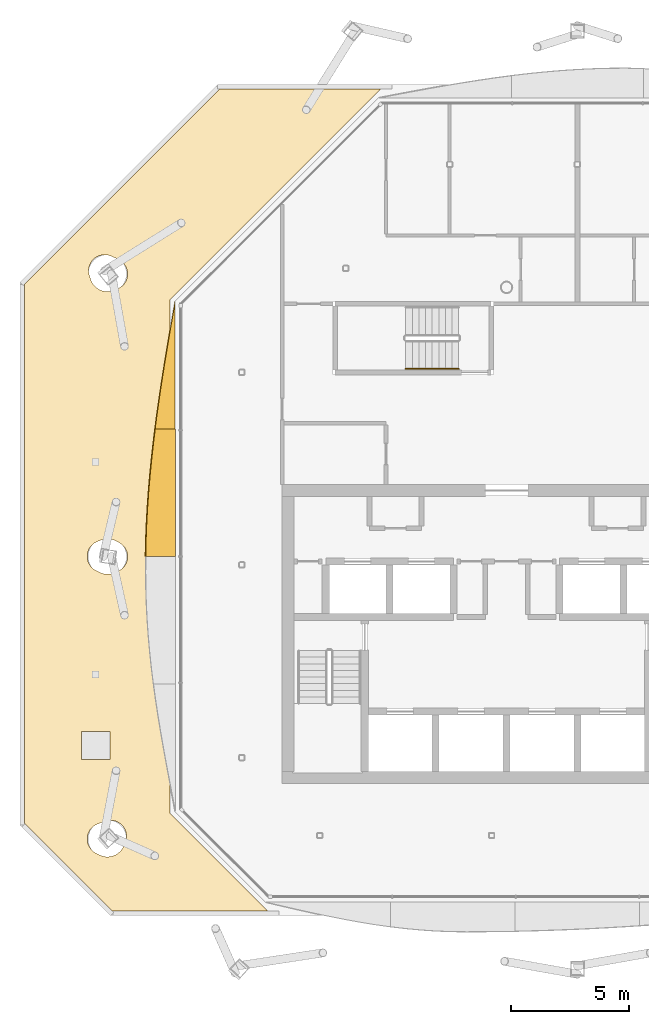
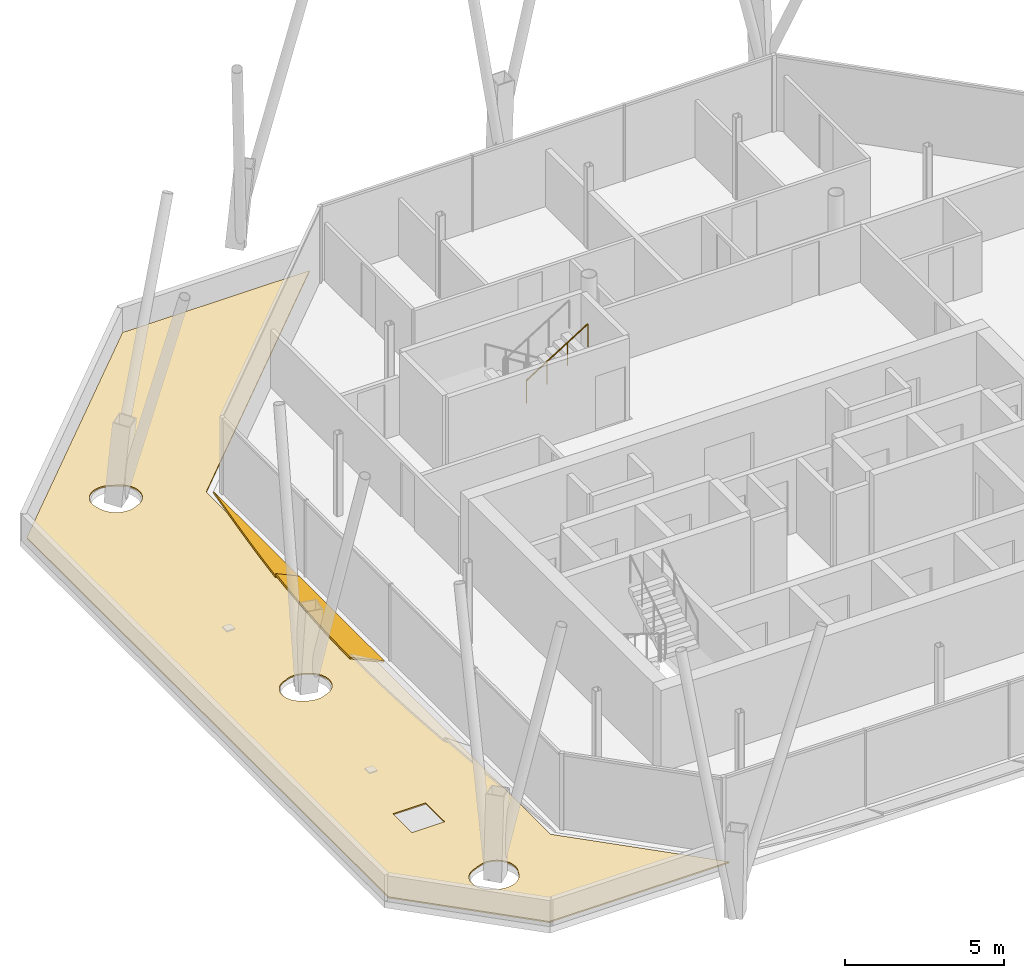
# One storey, part 14 of 17: 2 shading devices, 1 covering, 1 railing.
"""IFC4 building model written with IfcOpenShell, lengths in metres."""

from ifc_helpers import new_model, si_unit, direction, frame, origin, origin_2d, place, context, subcontext, project, spatial, polyline, circle, outline, extrude, material, layer, layer_set, type_object, element, save


model = new_model("IFC4")

# Units and contexts
model_context = context("Model", 3, precision=1e-05, world=origin(), true_north=direction((0.0, 1.0)))
body_context = subcontext(model_context, "Body", "Model", "MODEL_VIEW")
ifc_project = project(units=[si_unit("LENGTHUNIT", "METRE"), si_unit("AREAUNIT", "SQUARE_METRE"), si_unit("VOLUMEUNIT", "CUBIC_METRE"), si_unit("PLANEANGLEUNIT", "RADIAN"), si_unit("MASSUNIT", "GRAM", prefix="KILO")], contexts=[model_context])

# Site, building, storey
site_placement = place(None, origin())
site = spatial("IfcSite", under=ifc_project, at=site_placement, CompositionType="ELEMENT")
building_placement = place(site_placement, origin())
building = spatial("IfcBuilding", under=site, at=building_placement, Name="Tskaro Facet Tower", CompositionType="ELEMENT")
storey_placement = place(building_placement, frame((0.0, 0.0, 259.5)))
storey = spatial("IfcBuildingStorey", under=building, at=storey_placement, Name="L68", CompositionType="ELEMENT", Elevation=259.5)

# Shading devices
ifc_material_1 = material(Name="Bronze anodised aluminium 6063-T6", Category="aluminium")
ifc_layer_1 = layer(ifc_material_1, 0.06005859375, Name="Bronze anodised aluminium 6063-T6")
ifc_layer_set_1 = layer_set([ifc_layer_1], Name="Bronze anodised aluminium 6063-T6")
shading_device_type = type_object("IfcShadingDeviceType", Name="Bronze sun blade (FN1)", PredefinedType="USERDEFINED", material=ifc_layer_set_1)
shading_device_1_placement = place(storey_placement, frame((-14.0224609375, 8.39111328125, 0.056396484375), z_axis=(0.341981457809, -1.1142758e-05, 0.939706700195), x_axis=(-3.810617e-06, -0.999999999938, -1.0470924e-05)))
element("IfcShadingDevice", 1, at=shading_device_1_placement, inside=storey, type_object=shading_device_type, Name="Fin blade west 1", ObjectType="FIN", PredefinedType="USERDEFINED", context=body_context, shape_type="SweptSolid", body=[
    extrude(outline(polyline([(0.0, 0.0), (5.3913574215403015, -2.2833286833760638e-21), (5.391357422232141, -0.9025404393008304), (4.717529296772813, -0.8074681282207511), (4.043457031133472, -0.705366545781997), (3.3696289051726325, -0.5973203574427399), (2.695800781056291, -0.48401782494632917), (2.0217285151419606, -0.36685652589890644), (1.347900390540262, -0.24629530146270445), (0.6740722661650871, -0.12364823767701165), (0.0, 0.0)])), origin(), (0.0, 0.0, -1.0), 0.06005859375),
])
shading_device_2_placement = place(storey_placement, frame((-14.017578125, 2.999755859375, 0.054443359375), z_axis=(0.42252820307, -1.0134439e-05, 0.906349776581), x_axis=(-4.282086e-06, -0.999999999949, -9.185347e-06)))
element("IfcShadingDevice", 2, at=shading_device_2_placement, inside=storey, type_object=shading_device_type, Name="Fin blade west 2", ObjectType="FIN", PredefinedType="USERDEFINED", context=body_context, shape_type="SweptSolid", body=[
    extrude(outline(polyline([(0.0, 0.0), (5.391357421598135, 4.5666573667521275e-21), (5.391357421910213, -1.3810297143937018), (4.717285155642286, -1.3635520333454798), (4.0434570309415605, -1.3347176006663561), (3.3696289061376175, -1.294305139555396), (2.695556639408383, -1.2426390831131167), (2.0217285161855583, -1.180604538543256), (1.3479003903136921, -1.108186541644045), (0.673828126394953, -1.0264914764201558), (-1.0482330400418104e-09, -0.9358288117703372), (0.0, 0.0)])), origin(), (0.0, 0.0, -1.0), 0.06005859375),
])

# Railing
ifc_material_2 = material(Name="Stainless steel", Category="steel")
railing_type = type_object("IfcRailingType", Name="RL-HANDRAIL-900", PredefinedType="HANDRAIL", material=ifc_material_2)
railing_placement = place(storey_placement, frame((-4.264892578125, 5.550048828125, 1.75)))
element("IfcRailing", 3, at=railing_placement, inside=storey, type_object=railing_type, Name="L68 ST-3 stair handrail 2", PredefinedType="HANDRAIL", context=body_context, shape_type="SweptSolid", body=[
    extrude(circle(Radius=0.02392578125, at=origin_2d()), frame((0.0, 0.0, 0.8759765625), z_axis=(0.848013881152, 0.0, 0.529974015752), x_axis=(0.0, 1.0, 0.0)), (0.0, 0.0, 1.0), 2.641357421875),
    extrude(circle(Radius=0.02099609375, at=origin_2d()), origin(), (0.0, 0.0, 1.0), 0.851806640625),
    extrude(circle(Radius=0.02099609375, at=origin_2d()), frame((0.74658203125, 0.0, 0.466552734375)), (0.0, 0.0, 1.0), 0.851806640625),
    extrude(circle(Radius=0.02099609375, at=origin_2d()), frame((1.493408203125, 0.0, 0.933349609375)), (0.0, 0.0, 1.0), 0.851806640625),
    extrude(circle(Radius=0.02099609375, at=origin_2d()), frame((2.239990234375, 0.0, 1.39990234375)), (0.0, 0.0, 1.0), 0.851806640625),
])

# Covering
ifc_material_3 = material(Name="Bituminous roofing membrane")
ifc_layer_2 = layer(ifc_material_3, 0.050048828125, Name="Bituminous roofing membrane")
ifc_layer_set_2 = layer_set([ifc_layer_2], Name="Bituminous roofing membrane")
covering_type = type_object("IfcCoveringType", Name="Roof membrane", PredefinedType="ROOFING", material=ifc_layer_set_2)
covering_placement = place(storey_placement, origin())
element("IfcCovering", 4, at=covering_placement, inside=storey, type_object=covering_type, Name="Roof membrane L68 1.1", PredefinedType="ROOFING", context=body_context, shape_type="SweptSolid", body=[
    extrude(outline(polyline([(-20.39111328125, -13.68212890625), (-20.39111328125, 9.13916015625), (-12.13916015625, 17.39111328125), (-5.325927734375, 17.39111328125), (-14.242919921875, 8.473876953125), (-14.242919921875, -13.2568359375), (-10.10888671875, -17.39111328125), (-16.68212890625, -17.39111328125), (-20.39111328125, -13.68212890625)]), holes=[polyline([(-16.230224609375, -14.707275390625), (-16.19873046875, -14.640625), (-16.173828125, -14.5712890625), (-16.16943359375, -14.5537109375), (-16.1669921875, -14.5498046875), (-16.138671875, -14.48974609375), (-16.116455078125, -14.427490234375), (-16.100341796875, -14.36328125), (-16.090576171875, -14.297607421875), (-16.08740234375, -14.2314453125), (-16.090576171875, -14.165283203125), (-16.100341796875, -14.099853515625), (-16.116455078125, -14.03564453125), (-16.138671875, -13.97314453125), (-16.1669921875, -13.913330078125), (-16.200927734375, -13.8564453125), (-16.240478515625, -13.80322265625), (-16.284912109375, -13.754150390625), (-16.333984375, -13.709716796875), (-16.38720703125, -13.670166015625), (-16.444091796875, -13.63623046875), (-16.50390625, -13.60791015625), (-16.56640625, -13.58544921875), (-16.630615234375, -13.569580078125), (-16.696044921875, -13.559814453125), (-16.76220703125, -13.556396484375), (-16.828369140625, -13.559814453125), (-16.89404296875, -13.569580078125), (-16.958251953125, -13.58544921875), (-17.0205078125, -13.60791015625), (-17.047119140625, -13.620361328125), (-17.109375, -13.635986328125), (-17.178466796875, -13.66064453125), (-17.2451171875, -13.692138671875), (-17.2568359375, -13.69921875), (-17.265380859375, -13.701416015625), (-17.32763671875, -13.7236328125), (-17.387451171875, -13.751953125), (-17.4443359375, -13.7861328125), (-17.49755859375, -13.825439453125), (-17.546630859375, -13.8701171875), (-17.591064453125, -13.919189453125), (-17.630615234375, -13.972412109375), (-17.66455078125, -14.029052734375), (-17.69287109375, -14.089111328125), (-17.71533203125, -14.1513671875), (-17.7314453125, -14.215576171875), (-17.7412109375, -14.28125), (-17.744384765625, -14.347412109375), (-17.7412109375, -14.41357421875), (-17.7314453125, -14.47900390625), (-17.71533203125, -14.543212890625), (-17.69287109375, -14.605712890625), (-17.66455078125, -14.66552734375), (-17.630615234375, -14.722412109375), (-17.591064453125, -14.775634765625), (-17.546630859375, -14.82470703125), (-17.49755859375, -14.869140625), (-17.4443359375, -14.908447265625), (-17.387451171875, -14.942626953125), (-17.32763671875, -14.970947265625), (-17.3056640625, -14.978759765625), (-17.2451171875, -15.01513671875), (-17.178466796875, -15.046630859375), (-17.109375, -15.0712890625), (-17.037841796875, -15.08935546875), (-16.965087890625, -15.10009765625), (-16.8916015625, -15.103759765625), (-16.818115234375, -15.10009765625), (-16.7451171875, -15.08935546875), (-16.673828125, -15.0712890625), (-16.6044921875, -15.046630859375), (-16.5380859375, -15.01513671875), (-16.474853515625, -14.977294921875), (-16.415771484375, -14.933349609375), (-16.361328125, -14.884033203125), (-16.311767578125, -14.82958984375), (-16.26806640625, -14.770263671875), (-16.230224609375, -14.707275390625)]), polyline([(-16.090087890625, -2.656982421875), (-16.06787109375, -2.594482421875), (-16.0517578125, -2.5302734375), (-16.0419921875, -2.46484375), (-16.038818359375, -2.398681640625), (-16.0419921875, -2.33251953125), (-16.0517578125, -2.266845703125), (-16.06787109375, -2.20263671875), (-16.090087890625, -2.140380859375), (-16.118408203125, -2.080322265625), (-16.152587890625, -2.023681640625), (-16.19189453125, -1.970458984375), (-16.236572265625, -1.92138671875), (-16.28564453125, -1.876708984375), (-16.338623046875, -1.83740234375), (-16.3955078125, -1.80322265625), (-16.455322265625, -1.77490234375), (-16.477294921875, -1.76708984375), (-16.5380859375, -1.730712890625), (-16.6044921875, -1.69921875), (-16.673828125, -1.674560546875), (-16.7451171875, -1.65673828125), (-16.818115234375, -1.645751953125), (-16.8916015625, -1.642333984375), (-16.965087890625, -1.645751953125), (-17.037841796875, -1.65673828125), (-17.109375, -1.674560546875), (-17.178466796875, -1.69921875), (-17.2451171875, -1.730712890625), (-17.2568359375, -1.73779296875), (-17.265380859375, -1.739990234375), (-17.32763671875, -1.76220703125), (-17.387451171875, -1.79052734375), (-17.4443359375, -1.82470703125), (-17.49755859375, -1.864013671875), (-17.546630859375, -1.90869140625), (-17.591064453125, -1.957763671875), (-17.630615234375, -2.010986328125), (-17.66455078125, -2.067626953125), (-17.69287109375, -2.127685546875), (-17.71533203125, -2.18994140625), (-17.7314453125, -2.254150390625), (-17.7412109375, -2.31982421875), (-17.744384765625, -2.385986328125), (-17.7412109375, -2.4521484375), (-17.7314453125, -2.517578125), (-17.71533203125, -2.581787109375), (-17.69287109375, -2.644287109375), (-17.66455078125, -2.7041015625), (-17.630615234375, -2.760986328125), (-17.591064453125, -2.814208984375), (-17.546630859375, -2.86328125), (-17.49755859375, -2.90771484375), (-17.4443359375, -2.947021484375), (-17.387451171875, -2.981201171875), (-17.32763671875, -3.009521484375), (-17.3056640625, -3.017333984375), (-17.2451171875, -3.0537109375), (-17.178466796875, -3.085205078125), (-17.109375, -3.10986328125), (-17.037841796875, -3.1279296875), (-16.965087890625, -3.138671875), (-16.8916015625, -3.142333984375), (-16.818115234375, -3.138671875), (-16.7451171875, -3.1279296875), (-16.673828125, -3.10986328125), (-16.6044921875, -3.085205078125), (-16.5380859375, -3.0537109375), (-16.5263671875, -3.046630859375), (-16.517822265625, -3.04443359375), (-16.455322265625, -3.022216796875), (-16.3955078125, -2.993896484375), (-16.338623046875, -2.959716796875), (-16.28564453125, -2.92041015625), (-16.236572265625, -2.8759765625), (-16.19189453125, -2.826904296875), (-16.152587890625, -2.773681640625), (-16.118408203125, -2.716796875), (-16.090087890625, -2.656982421875)]), polyline([(-16.06787109375, 9.367919921875), (-16.0517578125, 9.43212890625), (-16.0419921875, 9.497802734375), (-16.038818359375, 9.56396484375), (-16.0419921875, 9.630126953125), (-16.0517578125, 9.695556640625), (-16.06787109375, 9.759765625), (-16.090087890625, 9.822265625), (-16.118408203125, 9.882080078125), (-16.152587890625, 9.93896484375), (-16.19189453125, 9.9921875), (-16.236572265625, 10.041259765625), (-16.28564453125, 10.085693359375), (-16.338623046875, 10.125), (-16.3955078125, 10.1591796875), (-16.455322265625, 10.1875), (-16.477294921875, 10.1953125), (-16.5380859375, 10.231689453125), (-16.6044921875, 10.26318359375), (-16.673828125, 10.287841796875), (-16.6748046875, 10.2880859375), (-16.69189453125, 10.29833984375), (-16.751708984375, 10.32666015625), (-16.814208984375, 10.34912109375), (-16.87841796875, 10.365234375), (-16.94384765625, 10.374755859375), (-17.010009765625, 10.378173828125), (-17.076171875, 10.374755859375), (-17.141845703125, 10.365234375), (-17.2060546875, 10.34912109375), (-17.268310546875, 10.32666015625), (-17.328369140625, 10.29833984375), (-17.385009765625, 10.264404296875), (-17.438232421875, 10.224853515625), (-17.4873046875, 10.180419921875), (-17.531982421875, 10.13134765625), (-17.5712890625, 10.078125), (-17.60546875, 10.021240234375), (-17.6337890625, 9.96142578125), (-17.656005859375, 9.89892578125), (-17.672119140625, 9.834716796875), (-17.681884765625, 9.769287109375), (-17.68505859375, 9.703125), (-17.681884765625, 9.636962890625), (-17.672119140625, 9.571533203125), (-17.656005859375, 9.507080078125), (-17.6337890625, 9.44482421875), (-17.628662109375, 9.43408203125), (-17.627197265625, 9.423828125), (-17.609130859375, 9.3525390625), (-17.58447265625, 9.283203125), (-17.552978515625, 9.216552734375), (-17.51513671875, 9.153564453125), (-17.47119140625, 9.094482421875), (-17.421875, 9.039794921875), (-17.367431640625, 8.990478515625), (-17.30810546875, 8.946533203125), (-17.2451171875, 8.90869140625), (-17.178466796875, 8.877197265625), (-17.109375, 8.8525390625), (-17.037841796875, 8.834716796875), (-16.965087890625, 8.82373046875), (-16.8916015625, 8.8203125), (-16.818115234375, 8.82373046875), (-16.7451171875, 8.834716796875), (-16.673828125, 8.8525390625), (-16.6044921875, 8.877197265625), (-16.5380859375, 8.90869140625), (-16.5263671875, 8.915771484375), (-16.517822265625, 8.91796875), (-16.455322265625, 8.940185546875), (-16.3955078125, 8.968505859375), (-16.338623046875, 9.002685546875), (-16.28564453125, 9.0419921875), (-16.236572265625, 9.086669921875), (-16.19189453125, 9.1357421875), (-16.152587890625, 9.188720703125), (-16.118408203125, 9.24560546875), (-16.090087890625, 9.305419921875), (-16.06787109375, 9.367919921875)]), polyline([(-16.791015625, -9.791015625), (-17.990966796875, -9.791015625), (-17.990966796875, -10.990966796875), (-16.791015625, -10.990966796875), (-16.791015625, -9.791015625)])]), origin(), (0.0, 0.0, 1.0), 0.050048828125),
])

save(model, "model.ifc")
